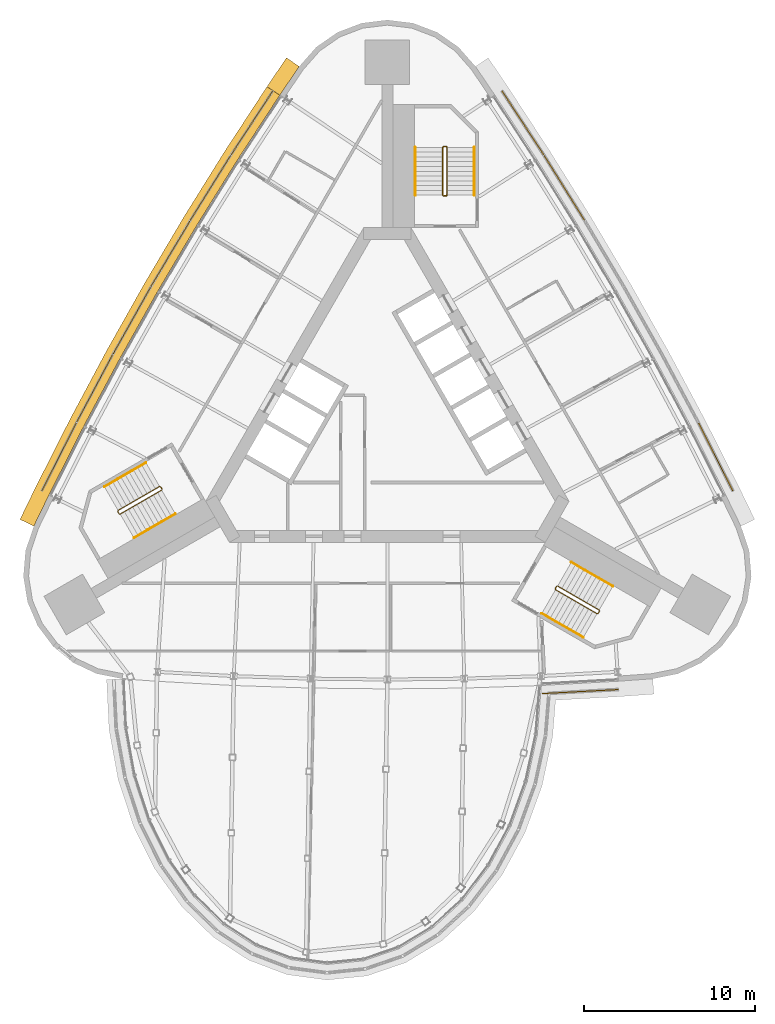
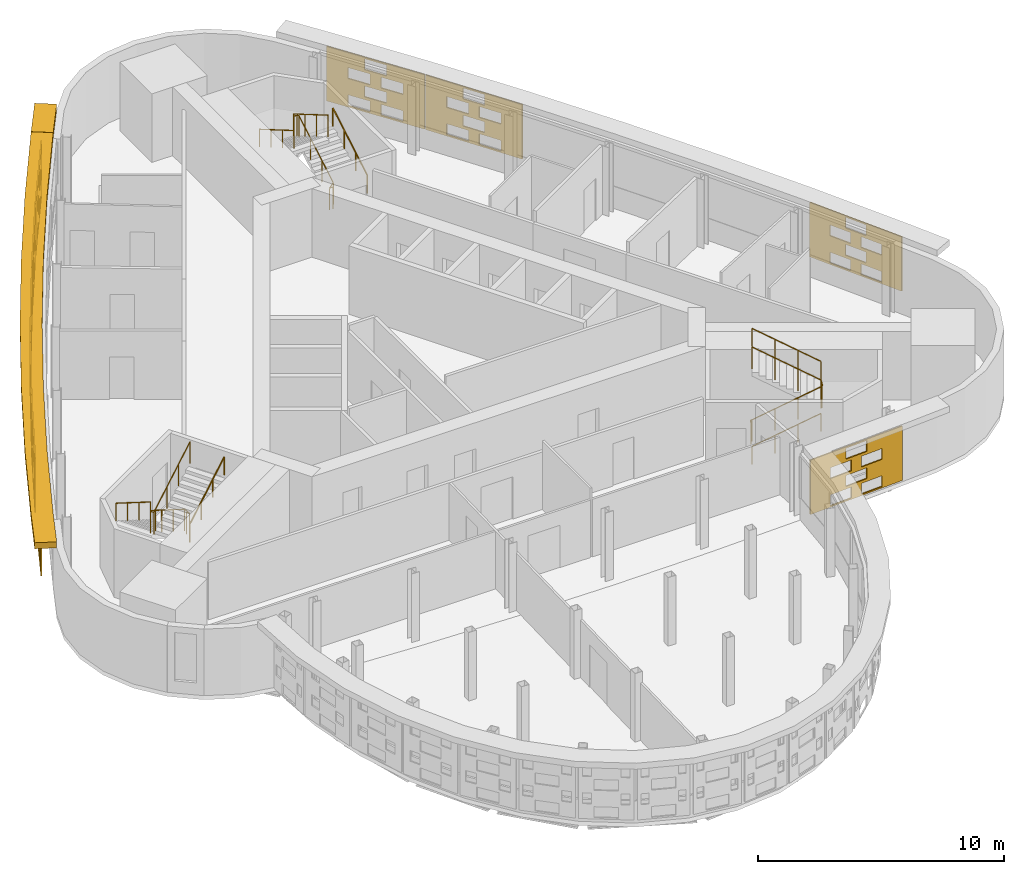
# One storey, part 13 of 14: 12 shading devices, 9 railings.
"""IFC4 building model written with IfcOpenShell, lengths in metres."""

from ifc_helpers import new_model, si_unit, direction, frame, origin, origin_2d, place, context, subcontext, project, spatial, polyline, circle, outline, extrude, material, material_profile, profile_set, type_object, element, save


model = new_model("IFC4")

# Units and contexts
model_context = context("Model", 3, precision=1e-05, world=origin(), true_north=direction((0.0, 1.0)))
body_context = subcontext(model_context, "Body", "Model", "MODEL_VIEW")
ifc_project = project(units=[si_unit("LENGTHUNIT", "METRE"), si_unit("AREAUNIT", "SQUARE_METRE"), si_unit("VOLUMEUNIT", "CUBIC_METRE"), si_unit("PLANEANGLEUNIT", "RADIAN"), si_unit("MASSUNIT", "GRAM", prefix="KILO")], contexts=[model_context])

# Site, building, storey
site_placement = place(None, origin())
site = spatial("IfcSite", under=ifc_project, at=site_placement, CompositionType="ELEMENT")
building_placement = place(site_placement, origin())
building = spatial("IfcBuilding", under=site, at=building_placement, Name="Noor Cloister Tower", CompositionType="ELEMENT")
storey_placement = place(building_placement, frame((0.0, 0.0, 218.39990234375)))
storey = spatial("IfcBuildingStorey", under=building, at=storey_placement, Name="L56", CompositionType="ELEMENT", Elevation=218.39990234375)

# Shading devices
ifc_material_1 = material(Name="Limestone", Category="masonry")
ifc_material_profile = material_profile(ifc_material_1, outline(polyline([(-2.22998046875, -1.35009765625), (2.22998046875, -1.35009765625), (2.22998046875, 1.35009765625), (-2.22998046875, 1.35009765625), (-2.22998046875, -1.35009765625)]), holes=[polyline([(-1.25, -1.282470703125), (-0.25, -1.282470703125), (-0.25, -0.742431640625), (-1.25, -0.742431640625), (-1.25, -1.282470703125)]), polyline([(0.25, -1.282470703125), (1.25, -1.282470703125), (1.25, -0.742431640625), (0.25, -0.742431640625), (0.25, -1.282470703125)]), polyline([(-0.5, -0.607421875), (0.5, -0.607421875), (0.5, -0.0673828125), (-0.5, -0.0673828125), (-0.5, -0.607421875)]), polyline([(-1.25, 0.0673828125), (-0.25, 0.0673828125), (-0.25, 0.607421875), (-1.25, 0.607421875), (-1.25, 0.0673828125)]), polyline([(0.25, 0.0673828125), (1.25, 0.0673828125), (1.25, 0.607421875), (0.25, 0.607421875), (0.25, 0.0673828125)]), polyline([(-0.5, 0.742431640625), (0.5, 0.742431640625), (0.5, 1.282470703125), (-0.5, 1.282470703125), (-0.5, 0.742431640625)])]), Name="Woven screen 35 percent open")
ifc_profile_set = profile_set([ifc_material_profile], Name="Limestone")
shading_device_type_1 = type_object("IfcShadingDeviceType", Name="SCREEN woven limestone 35 percent open", PredefinedType="USERDEFINED", material=ifc_profile_set)
shading_device_1_placement = place(storey_placement, frame((-7.889892578125, 17.56689453125, 1.85009765625), z_axis=(-0.837041537521, 0.547139346477, 0.0), x_axis=(-0.547139346477, -0.837041537521, 0.0)))
element("IfcShadingDevice", 1, at=shading_device_1_placement, inside=storey, type_object=shading_device_type_1, Name="SCREEN L56 1", ObjectType="SCREEN", PredefinedType="USERDEFINED", context=body_context, shape_type="SweptSolid", body=[
    extrude(outline(polyline([(-2.22998046875, -1.35009765625), (2.22998046875, -1.35009765625), (2.22998046875, 1.35009765625), (-2.22998046875, 1.35009765625), (-2.22998046875, -1.35009765625)]), holes=[polyline([(-1.25, -1.282470703125), (-0.25, -1.282470703125), (-0.25, -0.742431640625), (-1.25, -0.742431640625), (-1.25, -1.282470703125)]), polyline([(0.25, -1.282470703125), (1.25, -1.282470703125), (1.25, -0.742431640625), (0.25, -0.742431640625), (0.25, -1.282470703125)]), polyline([(-0.5, -0.607421875), (0.5, -0.607421875), (0.5, -0.0673828125), (-0.5, -0.0673828125), (-0.5, -0.607421875)]), polyline([(-1.25, 0.0673828125), (-0.25, 0.0673828125), (-0.25, 0.607421875), (-1.25, 0.607421875), (-1.25, 0.0673828125)]), polyline([(0.25, 0.0673828125), (1.25, 0.0673828125), (1.25, 0.607421875), (0.25, 0.607421875), (0.25, 0.0673828125)]), polyline([(-0.5, 0.742431640625), (0.5, 0.742431640625), (0.5, 1.282470703125), (-0.5, 1.282470703125), (-0.5, 0.742431640625)])]), origin(), (0.0, 0.0, 1.0), 0.059814453125),
])
for number, where, z_axis, x_axis, name in (
    (2, (-10.315185546875, 13.76513671875, 1.85009765625), (-0.849137590634, 0.528171707093, 0.0), (-0.528171707093, -0.849137590634, 0.0), "SCREEN L56 2"),
    (3, (-12.656005859375, 9.910400390625, 1.85009765625), (-0.858568146325, 0.512699461786, 0.0), (-0.512699461786, -0.858568146325, 0.0), "SCREEN L56 3"),
):
    element("IfcShadingDevice", number, at=place(storey_placement, frame(where, z_axis=z_axis, x_axis=x_axis)), inside=storey, type_object=shading_device_type_1, Name=name, ObjectType="SCREEN", PredefinedType="USERDEFINED", context=body_context, shape_type="SweptSolid", body=[
        extrude(outline(polyline([(-2.22998046875, -1.35009765625), (2.22998046875, -1.35009765625), (2.22998046875, 1.35009765625), (-2.22998046875, 1.35009765625), (-2.22998046875, -1.35009765625)]), holes=[polyline([(-1.25, -1.282470703125), (-0.25, -1.282470703125), (-0.25, -0.742431640625), (-1.25, -0.742431640625), (-1.25, -1.282470703125)]), polyline([(0.25, -1.282470703125), (1.25, -1.282470703125), (1.25, -0.742431640625), (0.25, -0.742431640625), (0.25, -1.282470703125)]), polyline([(-0.5, -0.607421875), (0.5, -0.607421875), (0.5, -0.0673828125), (-0.5, -0.0673828125), (-0.5, -0.607421875)]), polyline([(-1.25, 0.0673828125), (-0.25, 0.0673828125), (-0.25, 0.607421875), (-1.25, 0.607421875), (-1.25, 0.0673828125)]), polyline([(0.25, 0.0673828125), (1.25, 0.0673828125), (1.25, 0.607421875), (0.25, 0.607421875), (0.25, 0.0673828125)]), polyline([(-0.5, 0.742431640625), (0.5, 0.742431640625), (0.5, 1.282470703125), (-0.5, 1.282470703125), (-0.5, 0.742431640625)])]), origin(), (0.0, 0.0, 1.0), 0.06005859375),
    ])
for number, where, z_axis, x_axis, name in (
    (4, (-14.91064453125, 6.005126953125, 1.85009765625), (-0.872227864306, 0.489099736994, 0.0), (-0.489099736994, -0.872227864306, 0.0), "SCREEN L56 4"),
    (5, (-17.07861328125, 2.05078125, 1.85009765625), (-0.882692078165, 0.469951800875, 0.0), (-0.469951800875, -0.882692078165, 0.0), "SCREEN L56 5"),
):
    element("IfcShadingDevice", number, at=place(storey_placement, frame(where, z_axis=z_axis, x_axis=x_axis)), inside=storey, type_object=shading_device_type_1, Name=name, ObjectType="SCREEN", PredefinedType="USERDEFINED", context=body_context, shape_type="SweptSolid", body=[
        extrude(outline(polyline([(-2.22998046875, -1.35009765625), (2.22998046875, -1.35009765625), (2.22998046875, 1.35009765625), (-2.22998046875, 1.35009765625), (-2.22998046875, -1.35009765625)]), holes=[polyline([(-1.25, -1.282470703125), (-0.25, -1.282470703125), (-0.25, -0.742431640625), (-1.25, -0.742431640625), (-1.25, -1.282470703125)]), polyline([(0.25, -1.282470703125), (1.25, -1.282470703125), (1.25, -0.742431640625), (0.25, -0.742431640625), (0.25, -1.282470703125)]), polyline([(-0.5, -0.607421875), (0.5, -0.607421875), (0.5, -0.0673828125), (-0.5, -0.0673828125), (-0.5, -0.607421875)]), polyline([(-1.25, 0.0673828125), (-0.25, 0.0673828125), (-0.25, 0.607421875), (-1.25, 0.607421875), (-1.25, 0.0673828125)]), polyline([(0.25, 0.0673828125), (1.25, 0.0673828125), (1.25, 0.607421875), (0.25, 0.607421875), (0.25, 0.0673828125)]), polyline([(-0.5, 0.742431640625), (0.5, 0.742431640625), (0.5, 1.282470703125), (-0.5, 1.282470703125), (-0.5, 0.742431640625)])]), origin(), (0.0, 0.0, 1.0), 0.059814453125),
    ])
shading_device_2_placement = place(storey_placement, frame((-19.158203125, -1.95068359375, 1.85009765625), z_axis=(-0.89279802979, 0.450457187758, 0.0), x_axis=(-0.450457187758, -0.89279802979, 0.0)))
element("IfcShadingDevice", 6, at=shading_device_2_placement, inside=storey, type_object=shading_device_type_1, Name="SCREEN L56 6", ObjectType="SCREEN", PredefinedType="USERDEFINED", context=body_context, shape_type="SweptSolid", body=[
    extrude(outline(polyline([(-2.22998046875, -1.35009765625), (2.22998046875, -1.35009765625), (2.22998046875, 1.35009765625), (-2.22998046875, 1.35009765625), (-2.22998046875, -1.35009765625)]), holes=[polyline([(-1.25, -1.282470703125), (-0.25, -1.282470703125), (-0.25, -0.742431640625), (-1.25, -0.742431640625), (-1.25, -1.282470703125)]), polyline([(0.25, -1.282470703125), (1.25, -1.282470703125), (1.25, -0.742431640625), (0.25, -0.742431640625), (0.25, -1.282470703125)]), polyline([(-0.5, -0.607421875), (0.5, -0.607421875), (0.5, -0.0673828125), (-0.5, -0.0673828125), (-0.5, -0.607421875)]), polyline([(-1.25, 0.0673828125), (-0.25, 0.0673828125), (-0.25, 0.607421875), (-1.25, 0.607421875), (-1.25, 0.0673828125)]), polyline([(0.25, 0.0673828125), (1.25, 0.0673828125), (1.25, 0.607421875), (0.25, 0.607421875), (0.25, 0.0673828125)]), polyline([(-0.5, 0.742431640625), (0.5, 0.742431640625), (0.5, 1.282470703125), (-0.5, 1.282470703125), (-0.5, 0.742431640625)])]), origin(), (0.0, 0.0, 1.0), 0.06005859375),
])
shading_device_3_placement = place(storey_placement, frame((11.2685546875, -15.6162109375, 1.85009765625), z_axis=(0.052986685084, -0.998595218897, 0.0), x_axis=(0.998595218897, 0.052986685084, 0.0)))
element("IfcShadingDevice", 7, at=shading_device_3_placement, inside=storey, type_object=shading_device_type_1, Name="SCREEN L56 19", ObjectType="SCREEN", PredefinedType="USERDEFINED", context=body_context, shape_type="SweptSolid", body=[
    extrude(outline(polyline([(-2.22998046875, -1.35009765625), (2.22998046875, -1.35009765625), (2.22998046875, 1.35009765625), (-2.22998046875, 1.35009765625), (-2.22998046875, -1.35009765625)]), holes=[polyline([(-1.25, -1.282470703125), (-0.25, -1.282470703125), (-0.25, -0.742431640625), (-1.25, -0.742431640625), (-1.25, -1.282470703125)]), polyline([(0.25, -1.282470703125), (1.25, -1.282470703125), (1.25, -0.742431640625), (0.25, -0.742431640625), (0.25, -1.282470703125)]), polyline([(-0.5, -0.607421875), (0.5, -0.607421875), (0.5, -0.0673828125), (-0.5, -0.0673828125), (-0.5, -0.607421875)]), polyline([(-1.25, 0.0673828125), (-0.25, 0.0673828125), (-0.25, 0.607421875), (-1.25, 0.607421875), (-1.25, 0.0673828125)]), polyline([(0.25, 0.0673828125), (1.25, 0.0673828125), (1.25, 0.607421875), (0.25, 0.607421875), (0.25, 0.0673828125)]), polyline([(-0.5, 0.742431640625), (0.5, 0.742431640625), (0.5, 1.282470703125), (-0.5, 1.282470703125), (-0.5, 0.742431640625)])]), origin(), (0.0, 0.0, 1.0), 0.059814453125),
])
for number, where, z_axis, x_axis, name in (
    (8, (19.158203125, -1.95068359375, 1.85009765625), (0.89279802979, 0.450457187758, 0.0), (-0.450457187758, 0.89279802979, 0.0), "SCREEN L56 1"),
    (9, (10.315185546875, 13.76513671875, 1.85009765625), (0.849137590634, 0.528171707093, 0.0), (-0.528171707093, 0.849137590634, 0.0), "SCREEN L56 5"),
):
    element("IfcShadingDevice", number, at=place(storey_placement, frame(where, z_axis=z_axis, x_axis=x_axis)), inside=storey, type_object=shading_device_type_1, Name=name, ObjectType="SCREEN", PredefinedType="USERDEFINED", context=body_context, shape_type="SweptSolid", body=[
        extrude(outline(polyline([(-2.22998046875, -1.35009765625), (2.22998046875, -1.35009765625), (2.22998046875, 1.35009765625), (-2.22998046875, 1.35009765625), (-2.22998046875, -1.35009765625)]), holes=[polyline([(-1.25, -1.282470703125), (-0.25, -1.282470703125), (-0.25, -0.742431640625), (-1.25, -0.742431640625), (-1.25, -1.282470703125)]), polyline([(0.25, -1.282470703125), (1.25, -1.282470703125), (1.25, -0.742431640625), (0.25, -0.742431640625), (0.25, -1.282470703125)]), polyline([(-0.5, -0.607421875), (0.5, -0.607421875), (0.5, -0.0673828125), (-0.5, -0.0673828125), (-0.5, -0.607421875)]), polyline([(-1.25, 0.0673828125), (-0.25, 0.0673828125), (-0.25, 0.607421875), (-1.25, 0.607421875), (-1.25, 0.0673828125)]), polyline([(0.25, 0.0673828125), (1.25, 0.0673828125), (1.25, 0.607421875), (0.25, 0.607421875), (0.25, 0.0673828125)]), polyline([(-0.5, 0.742431640625), (0.5, 0.742431640625), (0.5, 1.282470703125), (-0.5, 1.282470703125), (-0.5, 0.742431640625)])]), origin(), (0.0, 0.0, 1.0), 0.06005859375),
    ])
shading_device_4_placement = place(storey_placement, frame((7.889892578125, 17.56689453125, 1.85009765625), z_axis=(0.837041537521, 0.547139346477, 0.0), x_axis=(-0.547139346477, 0.837041537521, 0.0)))
element("IfcShadingDevice", 10, at=shading_device_4_placement, inside=storey, type_object=shading_device_type_1, Name="SCREEN L56 6", ObjectType="SCREEN", PredefinedType="USERDEFINED", context=body_context, shape_type="SweptSolid", body=[
    extrude(outline(polyline([(-2.22998046875, -1.35009765625), (2.22998046875, -1.35009765625), (2.22998046875, 1.35009765625), (-2.22998046875, 1.35009765625), (-2.22998046875, -1.35009765625)]), holes=[polyline([(-1.25, -1.282470703125), (-0.25, -1.282470703125), (-0.25, -0.742431640625), (-1.25, -0.742431640625), (-1.25, -1.282470703125)]), polyline([(0.25, -1.282470703125), (1.25, -1.282470703125), (1.25, -0.742431640625), (0.25, -0.742431640625), (0.25, -1.282470703125)]), polyline([(-0.5, -0.607421875), (0.5, -0.607421875), (0.5, -0.0673828125), (-0.5, -0.0673828125), (-0.5, -0.607421875)]), polyline([(-1.25, 0.0673828125), (-0.25, 0.0673828125), (-0.25, 0.607421875), (-1.25, 0.607421875), (-1.25, 0.0673828125)]), polyline([(0.25, 0.0673828125), (1.25, 0.0673828125), (1.25, 0.607421875), (0.25, 0.607421875), (0.25, 0.0673828125)]), polyline([(-0.5, 0.742431640625), (0.5, 0.742431640625), (0.5, 1.282470703125), (-0.5, 1.282470703125), (-0.5, 0.742431640625)])]), origin(), (0.0, 0.0, 1.0), 0.059814453125),
])
ifc_material_2 = material(Name="Limestone", Category="masonry")
shading_device_type_2 = type_object("IfcShadingDeviceType", Name="SUNSHADE limestone band 900", PredefinedType="USERDEFINED", material=ifc_material_2)
shading_device_5_placement = place(storey_placement, frame((0.0, 0.0, 3.300048828125)))
element("IfcShadingDevice", 11, at=shading_device_5_placement, inside=storey, type_object=shading_device_type_2, Name="SUNSHADE L56 1", ObjectType="SUNSHADE", PredefinedType="USERDEFINED", context=body_context, shape_type="SweptSolid", body=[
    extrude(outline(polyline([(-7.035400390625, 19.6962890625), (-9.5029296875, 15.92138671875), (-11.8916015625, 12.084228515625), (-14.194580078125, 8.1953125), (-16.4111328125, 4.256103515625), (-18.539794921875, 0.26904296875), (-20.57861328125, -3.76171875), (-21.46533203125, -5.587158203125), (-20.65576171875, -5.98046875), (-19.772216796875, -4.16162109375), (-17.7412109375, -0.14599609375), (-15.621826171875, 3.823486328125), (-13.415283203125, 7.745361328125), (-11.122314453125, 11.6171875), (-8.744140625, 15.437255859375), (-6.2822265625, 19.2041015625), (-7.035400390625, 19.6962890625)])), origin(), (0.0, 0.0, 1.0), 0.300048828125),
])
shading_device_6_placement = place(storey_placement, frame((0.0, 0.0, 3.300048828125)))
element("IfcShadingDevice", 12, at=shading_device_6_placement, inside=storey, type_object=shading_device_type_2, Name="SUNSHADE L56 4", ObjectType="SUNSHADE", PredefinedType="USERDEFINED", context=body_context, shape_type="SweptSolid", body=[
    extrude(outline(polyline([(-5.89404296875, 21.38330078125), (-7.02734375, 19.70849609375), (-6.2822265625, 19.2041015625), (-5.148681640625, 20.87890625), (-5.89404296875, 21.38330078125)])), origin(), (0.0, 0.0, 1.0), 0.300048828125),
])

# Railings
ifc_material_3 = material(Name="Stainless steel", Category="steel")
railing_type_1 = type_object("IfcRailingType", Name="Stair guard 1100", PredefinedType="GUARDRAIL", material=ifc_material_3)
railing_1_placement = place(storey_placement, frame((3.435546875, 13.306396484375, 0.0)))
element("IfcRailing", 13, at=railing_1_placement, inside=storey, type_object=railing_type_1, Name="Stair guard ST1 L56", PredefinedType="GUARDRAIL", context=body_context, shape_type="SweptSolid", body=[
    extrude(circle(Radius=0.02392578125, at=origin_2d()), frame((0.0, 0.0, 1.076171875), z_axis=(-1.0, 0.0, 0.0), x_axis=(0.0, -1.0, 0.0)), (0.0, 0.0, 1.0), 0.14990234375),
    extrude(circle(Radius=0.02392578125, at=origin_2d()), frame((-0.14990234375, 0.0, 1.076171875), z_axis=(0.759432192796, 0.190089865108, 0.622196582865), x_axis=(-0.242814311512, 0.970072785993, 0.0)), (0.0, 0.0, 1.0), 0.26318359375),
    extrude(circle(Radius=0.02392578125, at=origin_2d()), frame((0.050048828125, 0.050048828125, 1.23974609375), z_axis=(0.0, 0.863393664356, 0.504530851732), x_axis=(-1.0, 0.0, 0.0)), (0.0, 0.0, 1.0), 3.2431640625),
    extrude(circle(Radius=0.02392578125, at=origin_2d()), frame((0.050048828125, 2.85009765625, 2.8759765625), z_axis=(-0.708833529934, 0.705375805398, 0.0), x_axis=(-0.705375805398, -0.708833529934, 0.0)), (0.0, 0.0, 1.0), 0.070556640625),
    extrude(circle(Radius=0.02392578125, at=origin_2d()), frame((0.0, 2.89990234375, 2.8759765625), z_axis=(-1.0, 0.0, 0.0), x_axis=(0.0, -1.0, 0.0)), (0.0, 0.0, 1.0), 0.14990234375),
    extrude(circle(Radius=0.02392578125, at=origin_2d()), frame((-0.14990234375, 2.89990234375, 2.8759765625), z_axis=(-0.280916556609, -0.279546231943, 0.91811752648), x_axis=(0.705375805398, -0.708833529934, 0.0)), (0.0, 0.0, 1.0), 0.17822265625),
    extrude(circle(Radius=0.02392578125, at=origin_2d()), frame((-0.199951171875, 2.85009765625, 3.03955078125), z_axis=(0.0, -0.863360870873, 0.504586966384), x_axis=(1.0, 0.0, 0.0)), (0.0, 0.0, 1.0), 3.2431640625),
    extrude(circle(Radius=0.02099609375, at=origin_2d()), origin(), (0.0, 0.0, 1.0), 1.052001953125),
    extrude(circle(Radius=0.02099609375, at=origin_2d()), frame((-0.14990234375, 0.0, 0.0)), (0.0, 0.0, 1.0), 1.052001953125),
    extrude(circle(Radius=0.02099609375, at=origin_2d()), frame((0.050048828125, 0.050048828125, 0.163818359375)), (0.0, 0.0, 1.0), 1.052001953125),
    extrude(circle(Radius=0.02099609375, at=origin_2d()), frame((0.050048828125, 0.9833984375, 0.709228515625)), (0.0, 0.0, 1.0), 1.052001953125),
    extrude(circle(Radius=0.02099609375, at=origin_2d()), frame((0.050048828125, 1.916748046875, 1.254638671875)), (0.0, 0.0, 1.0), 1.052001953125),
    extrude(circle(Radius=0.02099609375, at=origin_2d()), frame((0.050048828125, 2.85009765625, 1.800048828125)), (0.0, 0.0, 1.0), 1.052001953125),
    extrude(circle(Radius=0.02099609375, at=origin_2d()), frame((0.0, 2.89990234375, 1.800048828125)), (0.0, 0.0, 1.0), 1.052001953125),
    extrude(circle(Radius=0.02099609375, at=origin_2d()), frame((-0.14990234375, 2.89990234375, 1.800048828125)), (0.0, 0.0, 1.0), 1.052001953125),
    extrude(circle(Radius=0.02099609375, at=origin_2d()), frame((-0.199951171875, 2.85009765625, 1.963623046875)), (0.0, 0.0, 1.0), 1.052001953125),
    extrude(circle(Radius=0.02099609375, at=origin_2d()), frame((-0.199951171875, 1.916748046875, 2.509033203125)), (0.0, 0.0, 1.0), 1.052001953125),
    extrude(circle(Radius=0.02099609375, at=origin_2d()), frame((-0.199951171875, 0.9833984375, 3.0546875)), (0.0, 0.0, 1.0), 1.052001953125),
    extrude(circle(Radius=0.02099609375, at=origin_2d()), frame((-0.199951171875, 0.050048828125, 3.60009765625)), (0.0, 0.0, 1.0), 1.052001953125),
])
railing_2_placement = place(storey_placement, frame((-13.241455078125, -3.677734375, 0.0)))
element("IfcRailing", 14, at=railing_2_placement, inside=storey, type_object=railing_type_1, Name="Stair guard ST2 L56", PredefinedType="GUARDRAIL", context=body_context, shape_type="SweptSolid", body=[
    extrude(circle(Radius=0.02392578125, at=origin_2d()), frame((0.0, 0.0, 1.076171875), z_axis=(0.499112439033, -0.866537231285, 0.0), x_axis=(0.866537231285, 0.499112439033, 0.0)), (0.0, 0.0, 1.0), 0.150146484375),
    extrude(circle(Radius=0.02392578125, at=origin_2d()), frame((0.074951171875, -0.130126953125, 1.076171875), z_axis=(-0.544251820729, 0.562795323991, 0.622134534428), x_axis=(-0.718850276695, -0.695164929852, 0.0)), (0.0, 0.0, 1.0), 0.263427734375),
    extrude(circle(Radius=0.02392578125, at=origin_2d()), frame((-0.068359375, 0.01806640625, 1.23974609375), z_axis=(-0.74771821388, -0.431677027627, 0.504551698492), x_axis=(0.49998411664, -0.866034573852, 0.0)), (0.0, 0.0, 1.0), 3.242919921875),
    extrude(circle(Radius=0.02392578125, at=origin_2d()), frame((-2.4931640625, -1.3818359375, 2.8759765625), z_axis=(-0.258736085224, -0.965948051503, 0.0), x_axis=(0.965948051503, -0.258736085224, 0.0)), (0.0, 0.0, 1.0), 0.07080078125),
    extrude(circle(Radius=0.02392578125, at=origin_2d()), frame((-2.511474609375, -1.4501953125, 2.8759765625), z_axis=(0.499816412211, -0.866131372301, 0.0), x_axis=(0.866131372301, 0.499816412211, 0.0)), (0.0, 0.0, 1.0), 0.14990234375),
    extrude(circle(Radius=0.02392578125, at=origin_2d()), frame((-2.4365234375, -1.580078125, 2.8759765625), z_axis=(0.383552647116, -0.102737316192, 0.917786691313), x_axis=(0.258736085224, 0.965948051503, 0.0)), (0.0, 0.0, 1.0), 0.17822265625),
    extrude(circle(Radius=0.02392578125, at=origin_2d()), frame((-2.3681640625, -1.598388671875, 3.03955078125), z_axis=(0.747665513933, 0.431721881032, 0.504591415616), x_axis=(-0.500049511043, 0.865996816683, 0.0)), (0.0, 0.0, 1.0), 3.2431640625),
    extrude(circle(Radius=0.02099609375, at=origin_2d()), origin(), (0.0, 0.0, 1.0), 1.052001953125),
    extrude(circle(Radius=0.02099609375, at=origin_2d()), frame((0.074951171875, -0.130126953125, 0.0)), (0.0, 0.0, 1.0), 1.052001953125),
    extrude(circle(Radius=0.02099609375, at=origin_2d()), frame((-0.068359375, 0.01806640625, 0.163818359375)), (0.0, 0.0, 1.0), 1.052001953125),
    extrude(circle(Radius=0.02099609375, at=origin_2d()), frame((-0.876708984375, -0.448486328125, 0.709228515625)), (0.0, 0.0, 1.0), 1.052001953125),
    extrude(circle(Radius=0.02099609375, at=origin_2d()), frame((-1.684814453125, -0.915283203125, 1.254638671875)), (0.0, 0.0, 1.0), 1.052001953125),
    extrude(circle(Radius=0.02099609375, at=origin_2d()), frame((-2.4931640625, -1.3818359375, 1.800048828125)), (0.0, 0.0, 1.0), 1.052001953125),
    extrude(circle(Radius=0.02099609375, at=origin_2d()), frame((-2.511474609375, -1.4501953125, 1.800048828125)), (0.0, 0.0, 1.0), 1.052001953125),
    extrude(circle(Radius=0.02099609375, at=origin_2d()), frame((-2.4365234375, -1.580078125, 1.800048828125)), (0.0, 0.0, 1.0), 1.052001953125),
    extrude(circle(Radius=0.02099609375, at=origin_2d()), frame((-2.3681640625, -1.598388671875, 1.963623046875)), (0.0, 0.0, 1.0), 1.052001953125),
    extrude(circle(Radius=0.02099609375, at=origin_2d()), frame((-1.559814453125, -1.131591796875, 2.509033203125)), (0.0, 0.0, 1.0), 1.052001953125),
    extrude(circle(Radius=0.02099609375, at=origin_2d()), frame((-0.751708984375, -0.6650390625, 3.0546875)), (0.0, 0.0, 1.0), 1.052001953125),
    extrude(circle(Radius=0.02099609375, at=origin_2d()), frame((0.056640625, -0.1982421875, 3.60009765625)), (0.0, 0.0, 1.0), 1.052001953125),
])
railing_3_placement = place(storey_placement, frame((9.805908203125, -9.628662109375, 0.0)))
element("IfcRailing", 15, at=railing_3_placement, inside=storey, type_object=railing_type_1, Name="Stair guard ST3 L56", PredefinedType="GUARDRAIL", context=body_context, shape_type="SweptSolid", body=[
    extrude(circle(Radius=0.02392578125, at=origin_2d()), frame((0.0, 0.0, 1.076171875), z_axis=(0.499112439033, 0.866537231285, 0.0), x_axis=(-0.866537231285, 0.499112439033, 0.0)), (0.0, 0.0, 1.0), 0.150146484375),
    extrude(circle(Radius=0.02392578125, at=origin_2d()), frame((0.074951171875, 0.130126953125, 1.076171875), z_axis=(-0.215090770512, -0.752817696793, 0.622094426784), x_axis=(0.961523947641, -0.274721127897, 0.0)), (0.0, 0.0, 1.0), 0.263427734375),
    extrude(circle(Radius=0.02392578125, at=origin_2d()), frame((0.018310546875, -0.068115234375, 1.23974609375), z_axis=(0.747693913401, -0.431738279637, 0.504535300807), x_axis=(0.500049511043, 0.865996816683, 0.0)), (0.0, 0.0, 1.0), 3.2431640625),
    extrude(circle(Radius=0.02392578125, at=origin_2d()), frame((2.443115234375, -1.46826171875, 2.8759765625), z_axis=(0.965948051503, 0.258736085224, 0.0), x_axis=(-0.258736085224, 0.965948051503, 0.0)), (0.0, 0.0, 1.0), 0.07080078125),
    extrude(circle(Radius=0.02392578125, at=origin_2d()), frame((2.511474609375, -1.449951171875, 2.8759765625), z_axis=(0.499816412211, 0.866131372301, 0.0), x_axis=(-0.866131372301, 0.499816412211, 0.0)), (0.0, 0.0, 1.0), 0.14990234375),
    extrude(circle(Radius=0.02392578125, at=origin_2d()), frame((2.58642578125, -1.320068359375, 2.8759765625), z_axis=(-0.102737316192, 0.383552647116, 0.917786691313), x_axis=(-0.965948051503, -0.258736085224, 0.0)), (0.0, 0.0, 1.0), 0.17822265625),
    extrude(circle(Radius=0.02392578125, at=origin_2d()), frame((2.568115234375, -1.251708984375, 3.03955078125), z_axis=(-0.747689811644, 0.431660630283, 0.504607813879), x_axis=(-0.49998411664, -0.866034573852, 0.0)), (0.0, 0.0, 1.0), 3.2431640625),
    extrude(circle(Radius=0.02099609375, at=origin_2d()), origin(), (0.0, 0.0, 1.0), 1.052001953125),
    extrude(circle(Radius=0.02099609375, at=origin_2d()), frame((0.074951171875, 0.130126953125, 0.0)), (0.0, 0.0, 1.0), 1.052001953125),
    extrude(circle(Radius=0.02099609375, at=origin_2d()), frame((0.018310546875, -0.068115234375, 0.163818359375)), (0.0, 0.0, 1.0), 1.052001953125),
    extrude(circle(Radius=0.02099609375, at=origin_2d()), frame((0.82666015625, -0.534912109375, 0.709228515625)), (0.0, 0.0, 1.0), 1.052001953125),
    extrude(circle(Radius=0.02099609375, at=origin_2d()), frame((1.634765625, -1.00146484375, 1.254638671875)), (0.0, 0.0, 1.0), 1.052001953125),
    extrude(circle(Radius=0.02099609375, at=origin_2d()), frame((2.443115234375, -1.46826171875, 1.800048828125)), (0.0, 0.0, 1.0), 1.052001953125),
    extrude(circle(Radius=0.02099609375, at=origin_2d()), frame((2.511474609375, -1.449951171875, 1.800048828125)), (0.0, 0.0, 1.0), 1.052001953125),
    extrude(circle(Radius=0.02099609375, at=origin_2d()), frame((2.58642578125, -1.320068359375, 1.800048828125)), (0.0, 0.0, 1.0), 1.052001953125),
    extrude(circle(Radius=0.02099609375, at=origin_2d()), frame((2.568115234375, -1.251708984375, 1.963623046875)), (0.0, 0.0, 1.0), 1.052001953125),
    extrude(circle(Radius=0.02099609375, at=origin_2d()), frame((1.759765625, -0.78515625, 2.509033203125)), (0.0, 0.0, 1.0), 1.052001953125),
    extrude(circle(Radius=0.02099609375, at=origin_2d()), frame((0.95166015625, -0.318359375, 3.0546875)), (0.0, 0.0, 1.0), 1.052001953125),
    extrude(circle(Radius=0.02099609375, at=origin_2d()), frame((0.143310546875, 0.148193359375, 3.60009765625)), (0.0, 0.0, 1.0), 1.052001953125),
])
ifc_material_4 = material(Name="Stainless steel", Category="steel")
railing_type_2 = type_object("IfcRailingType", Name="Stair handrail 900", PredefinedType="HANDRAIL", material=ifc_material_4)
railing_4_placement = place(storey_placement, frame((5.085693359375, 13.3564453125, 0.163818359375)))
element("IfcRailing", 16, at=railing_4_placement, inside=storey, type_object=railing_type_2, Name="Stair handrail ST1 L56 1", PredefinedType="HANDRAIL", context=body_context, shape_type="SweptSolid", body=[
    extrude(circle(Radius=0.02392578125, at=origin_2d()), frame((0.0, 0.0, 0.8759765625), z_axis=(0.0, 0.863393664356, 0.504530851732), x_axis=(-1.0, 0.0, 0.0)), (0.0, 0.0, 1.0), 3.2431640625),
    extrude(circle(Radius=0.02099609375, at=origin_2d()), origin(), (0.0, 0.0, 1.0), 0.851806640625),
    extrude(circle(Radius=0.02099609375, at=origin_2d()), frame((0.0, 0.933349609375, 0.54541015625)), (0.0, 0.0, 1.0), 0.851806640625),
    extrude(circle(Radius=0.02099609375, at=origin_2d()), frame((0.0, 1.86669921875, 1.0908203125)), (0.0, 0.0, 1.0), 0.851806640625),
    extrude(circle(Radius=0.02099609375, at=origin_2d()), frame((0.0, 2.800048828125, 1.63623046875)), (0.0, 0.0, 1.0), 0.851806640625),
])
railing_5_placement = place(storey_placement, frame((1.6357421875, 16.156494140625, 1.963623046875)))
element("IfcRailing", 17, at=railing_5_placement, inside=storey, type_object=railing_type_2, Name="Stair handrail ST1 L56 2", PredefinedType="HANDRAIL", context=body_context, shape_type="SweptSolid", body=[
    extrude(circle(Radius=0.02392578125, at=origin_2d()), frame((0.0, 0.0, 0.8759765625), z_axis=(0.0, -0.863360870873, 0.504586966384), x_axis=(1.0, 0.0, 0.0)), (0.0, 0.0, 1.0), 3.2431640625),
    extrude(circle(Radius=0.02099609375, at=origin_2d()), origin(), (0.0, 0.0, 1.0), 0.851806640625),
    extrude(circle(Radius=0.02099609375, at=origin_2d()), frame((0.0, -0.933349609375, 0.54541015625)), (0.0, 0.0, 1.0), 0.851806640625),
    extrude(circle(Radius=0.02099609375, at=origin_2d()), frame((0.0, -1.86669921875, 1.091064453125)), (0.0, 0.0, 1.0), 0.851806640625),
    extrude(circle(Radius=0.02099609375, at=origin_2d()), frame((0.0, -2.800048828125, 1.636474609375)), (0.0, 0.0, 1.0), 0.851806640625),
])
railing_6_placement = place(storey_placement, frame((-14.10986328125, -2.27392578125, 0.163818359375)))
element("IfcRailing", 18, at=railing_6_placement, inside=storey, type_object=railing_type_2, Name="Stair handrail ST2 L56 1", PredefinedType="HANDRAIL", context=body_context, shape_type="SweptSolid", body=[
    extrude(circle(Radius=0.02392578125, at=origin_2d()), frame((0.0, 0.0, 0.8759765625), z_axis=(-0.74771821388, -0.431677027627, 0.504551698492), x_axis=(0.49998411664, -0.866034573852, 0.0)), (0.0, 0.0, 1.0), 3.242919921875),
    extrude(circle(Radius=0.02099609375, at=origin_2d()), origin(), (0.0, 0.0, 1.0), 0.851806640625),
    extrude(circle(Radius=0.02099609375, at=origin_2d()), frame((-0.808349609375, -0.466552734375, 0.54541015625)), (0.0, 0.0, 1.0), 0.851806640625),
    extrude(circle(Radius=0.02099609375, at=origin_2d()), frame((-1.616455078125, -0.933349609375, 1.0908203125)), (0.0, 0.0, 1.0), 0.851806640625),
    extrude(circle(Radius=0.02099609375, at=origin_2d()), frame((-2.4248046875, -1.39990234375, 1.63623046875)), (0.0, 0.0, 1.0), 0.851806640625),
])
railing_7_placement = place(storey_placement, frame((-14.8095703125, -6.66162109375, 1.963623046875)))
element("IfcRailing", 19, at=railing_7_placement, inside=storey, type_object=railing_type_2, Name="Stair handrail ST2 L56 2", PredefinedType="HANDRAIL", context=body_context, shape_type="SweptSolid", body=[
    extrude(circle(Radius=0.02392578125, at=origin_2d()), frame((0.0, 0.0, 0.8759765625), z_axis=(0.747689811644, 0.431660630283, 0.504607813879), x_axis=(-0.49998411664, 0.866034573852, 0.0)), (0.0, 0.0, 1.0), 3.2431640625),
    extrude(circle(Radius=0.02099609375, at=origin_2d()), origin(), (0.0, 0.0, 1.0), 0.851806640625),
    extrude(circle(Radius=0.02099609375, at=origin_2d()), frame((0.808349609375, 0.466552734375, 0.54541015625)), (0.0, 0.0, 1.0), 0.851806640625),
    extrude(circle(Radius=0.02099609375, at=origin_2d()), frame((1.616455078125, 0.933349609375, 1.091064453125)), (0.0, 0.0, 1.0), 0.851806640625),
    extrude(circle(Radius=0.02099609375, at=origin_2d()), frame((2.4248046875, 1.39990234375, 1.636474609375)), (0.0, 0.0, 1.0), 0.851806640625),
])
railing_8_placement = place(storey_placement, frame((9.024169921875, -11.08251953125, 0.163818359375)))
element("IfcRailing", 20, at=railing_8_placement, inside=storey, type_object=railing_type_2, Name="Stair handrail ST3 L56 1", PredefinedType="HANDRAIL", context=body_context, shape_type="SweptSolid", body=[
    extrude(circle(Radius=0.02392578125, at=origin_2d()), frame((0.0, 0.0, 0.8759765625), z_axis=(0.74771821388, -0.431677027627, 0.504551698492), x_axis=(0.49998411664, 0.866034573852, 0.0)), (0.0, 0.0, 1.0), 3.242919921875),
    extrude(circle(Radius=0.02099609375, at=origin_2d()), origin(), (0.0, 0.0, 1.0), 0.851806640625),
    extrude(circle(Radius=0.02099609375, at=origin_2d()), frame((0.808349609375, -0.466552734375, 0.54541015625)), (0.0, 0.0, 1.0), 0.851806640625),
    extrude(circle(Radius=0.02099609375, at=origin_2d()), frame((1.616455078125, -0.933349609375, 1.0908203125)), (0.0, 0.0, 1.0), 0.851806640625),
    extrude(circle(Radius=0.02099609375, at=origin_2d()), frame((2.4248046875, -1.39990234375, 1.63623046875)), (0.0, 0.0, 1.0), 0.851806640625),
])
railing_9_placement = place(storey_placement, frame((13.174072265625, -9.49462890625, 1.963623046875)))
element("IfcRailing", 21, at=railing_9_placement, inside=storey, type_object=railing_type_2, Name="Stair handrail ST3 L56 2", PredefinedType="HANDRAIL", context=body_context, shape_type="SweptSolid", body=[
    extrude(circle(Radius=0.02392578125, at=origin_2d()), frame((0.0, 0.0, 0.8759765625), z_axis=(-0.747689811644, 0.431660630283, 0.504607813879), x_axis=(-0.49998411664, -0.866034573852, 0.0)), (0.0, 0.0, 1.0), 3.2431640625),
    extrude(circle(Radius=0.02099609375, at=origin_2d()), origin(), (0.0, 0.0, 1.0), 0.851806640625),
    extrude(circle(Radius=0.02099609375, at=origin_2d()), frame((-0.808349609375, 0.466552734375, 0.54541015625)), (0.0, 0.0, 1.0), 0.851806640625),
    extrude(circle(Radius=0.02099609375, at=origin_2d()), frame((-1.616455078125, 0.933349609375, 1.091064453125)), (0.0, 0.0, 1.0), 0.851806640625),
    extrude(circle(Radius=0.02099609375, at=origin_2d()), frame((-2.4248046875, 1.39990234375, 1.636474609375)), (0.0, 0.0, 1.0), 0.851806640625),
])

save(model, "model.ifc")
